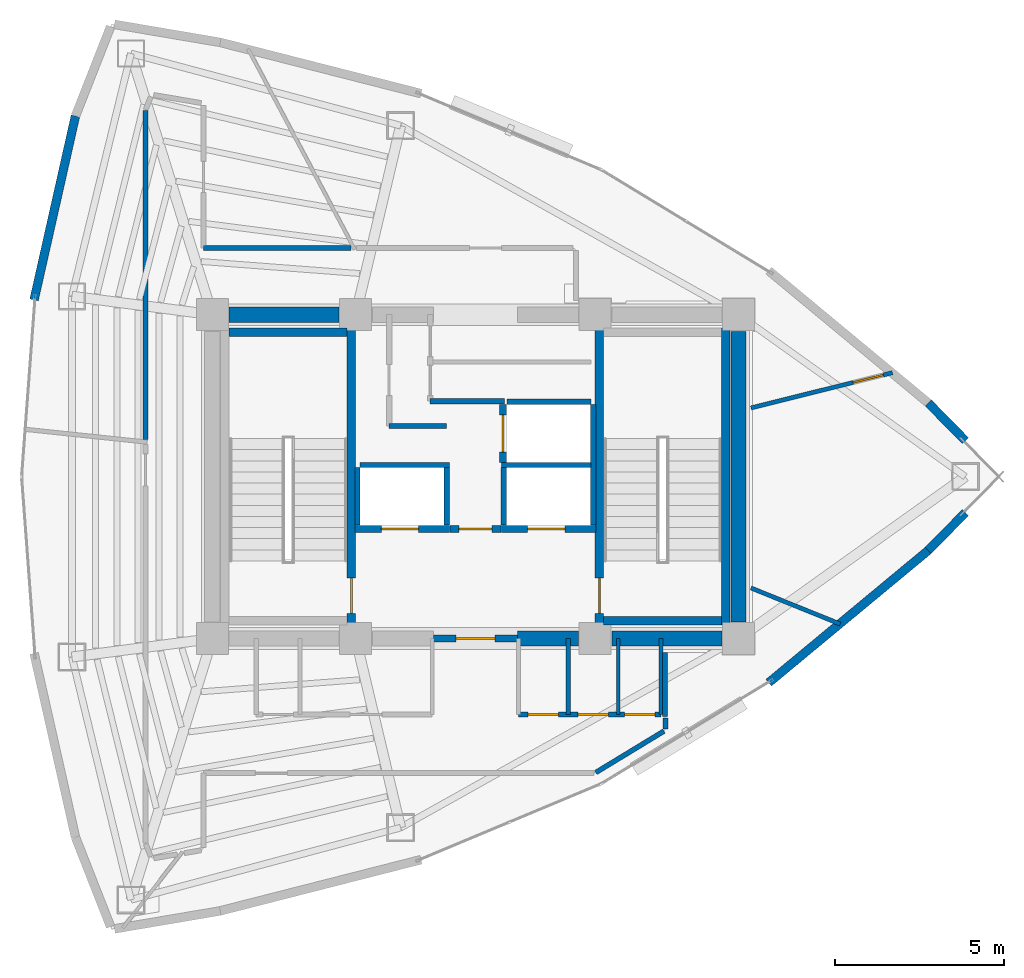
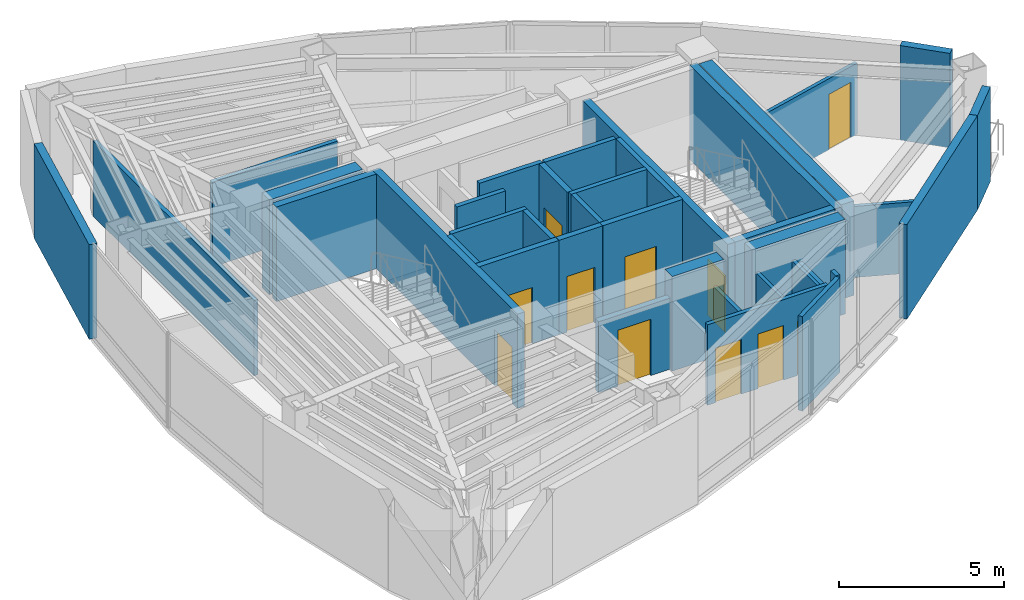
# One storey, part 12 of 15: 38 walls, 11 doors, 11 openings.
"""IFC4 building model written with IfcOpenShell, lengths in metres."""

import ifcopenshell
import ifcopenshell.guid

model = None  # the IFC model being written
_history = None  # IfcOwnerHistory: only IFC2X3 demands one
_inside = {}  # id of a spatial element -> (the spatial element, [elements in it])
_under = {}  # id of a project, library or spatial element -> (it, [spatial elements below it])
_declared = {}  # id of a project -> (the project, [libraries it declares])
_typed = {}  # id of a type object -> (the type object, [elements of that type])
_made_of = {}  # id of a material, layer set ... -> (it, [elements and type objects made of it])


def new_model(schema):
    """Start an empty IFC model of exactly this schema.

    Asked for "IFC4X3", IfcOpenShell would pick the latest addendum, in which some entities
    have other attributes; the version numbers below select the first issue.
    IFC2X3 requires an IfcOwnerHistory on every rooted entity: one is made here for all.
    """
    global model, _history
    if schema == "IFC4X3":
        model = ifcopenshell.file(schema_version=(4, 3, 0, 0))
    else:
        model = ifcopenshell.file(schema=schema)
    _inside.clear()
    _under.clear()
    _declared.clear()
    _typed.clear()
    _made_of.clear()
    _history = None
    if model.schema == "IFC2X3":
        org = make("IfcOrganization", Name="unknown")
        user = make(
            "IfcPersonAndOrganization",
            ThePerson=make("IfcPerson", FamilyName="unknown"),
            TheOrganization=org,
        )
        app = make(
            "IfcApplication",
            ApplicationDeveloper=org,
            Version="unknown",
            ApplicationFullName="unknown",
            ApplicationIdentifier="unknown",
        )
        _history = make(
            "IfcOwnerHistory",
            OwningUser=user,
            OwningApplication=app,
            ChangeAction="ADDED",
            CreationDate=0,
        )
    return model


def make(cls, **values):
    """One entity of the class cls with the attributes given. An attribute that is None is left unset."""
    return model.create_entity(
        cls, **{name: value for name, value in values.items() if value is not None}
    )


def rooted(cls, **values):
    """An entity with a GlobalId (a new one), such as an element, a storey or a relation."""
    return make(cls, GlobalId=ifcopenshell.guid.new(), OwnerHistory=_history, **values)


def si_unit(unit_type, name, prefix=None):
    """IfcSIUnit, for example si_unit("LENGTHUNIT", "METRE", prefix="MILLI")."""
    return make("IfcSIUnit", UnitType=unit_type, Prefix=prefix, Name=name)


def assignment(units):
    """IfcUnitAssignment: the units of a project."""
    return None if units is None else make("IfcUnitAssignment", Units=units)


def point(xyz):
    """IfcCartesianPoint."""
    return None if xyz is None else make("IfcCartesianPoint", Coordinates=xyz)


def direction(xyz):
    """IfcDirection."""
    return None if xyz is None else make("IfcDirection", DirectionRatios=xyz)


def frame(location, z_axis=None, x_axis=None):
    """IfcAxis2Placement3D, a coordinate frame: its origin and axes. An axis left out is left unset."""
    return make(
        "IfcAxis2Placement3D",
        Location=point(location),
        Axis=direction(z_axis),
        RefDirection=direction(x_axis),
    )


def frame_2d(location, x_axis=None):
    """IfcAxis2Placement2D, a coordinate frame in the plane: its origin and x axis."""
    return make(
        "IfcAxis2Placement2D", Location=point(location), RefDirection=direction(x_axis)
    )


def origin():
    """The frame at (0, 0, 0) with its axes left unset."""
    return frame((0.0, 0.0, 0.0))


def place(relative_to, where):
    """IfcLocalPlacement: puts the frame where relative to a parent placement (None: the world)."""
    return make(
        "IfcLocalPlacement", PlacementRelTo=relative_to, RelativePlacement=where
    )


def context(
    kind, dimensions, precision=None, world=None, true_north=None, identifier=None
):
    """IfcGeometricRepresentationContext, for example the 3D "Model" context."""
    return make(
        "IfcGeometricRepresentationContext",
        ContextIdentifier=identifier,
        ContextType=kind,
        CoordinateSpaceDimension=dimensions,
        Precision=precision,
        WorldCoordinateSystem=world,
        TrueNorth=true_north,
    )


def subcontext(parent, identifier, kind, view, scale=None):
    """IfcGeometricRepresentationSubContext, for example "Body" below "Model"."""
    return make(
        "IfcGeometricRepresentationSubContext",
        ContextIdentifier=identifier,
        ContextType=kind,
        ParentContext=parent,
        TargetScale=scale,
        TargetView=view,
    )


def project(units=None, contexts=None):
    """IfcProject with its units and contexts."""
    return rooted(
        "IfcProject",
        Name="project",
        RepresentationContexts=contexts,
        UnitsInContext=assignment(units),
    )


def spatial(cls, under=None, at=None, **own):
    """A site, building, storey or space (cls), placed at a placement, below another one or the project."""
    s = rooted(cls, ObjectPlacement=at, **own)
    if under is not None:
        _under.setdefault(under.id(), (under, []))[1].append(s)
    return s


def profile(cls, at=None, kind="AREA", **sizes):
    """A parametric profile (cls). Its sizes go by their IFC names, for example OverallWidth=200.0."""
    return make(cls, ProfileType=kind, Position=at, **sizes)


def rectangle(**sizes):
    """IfcRectangleProfileDef."""
    return profile("IfcRectangleProfileDef", **sizes)


def extrude(swept, where, along, depth):
    """IfcExtrudedAreaSolid: the profile swept, set in the frame where, extruded along a direction by depth."""
    return make(
        "IfcExtrudedAreaSolid",
        SweptArea=swept,
        Position=where,
        ExtrudedDirection=direction(along),
        Depth=depth,
    )


def shape(context_of_items, identifier, shape_type, items):
    """IfcShapeRepresentation: the items that make up one representation, for example the "Body"."""
    return make(
        "IfcShapeRepresentation",
        ContextOfItems=context_of_items,
        RepresentationIdentifier=identifier,
        RepresentationType=shape_type,
        Items=items,
    )


def material(Name=None, Category=None):
    """IfcMaterial."""
    return make("IfcMaterial", Name=Name, Category=Category)


def layer(
    of_material, thickness, ventilated=None, Name=None, Category=None, Priority=None
):
    """IfcMaterialLayer: one layer of a wall or slab, of a material (None: an air gap)."""
    return make(
        "IfcMaterialLayer",
        Material=of_material,
        LayerThickness=thickness,
        IsVentilated=ventilated,
        Name=Name,
        Category=Category,
        Priority=Priority,
    )


def layer_set(layers, Name=None):
    """IfcMaterialLayerSet."""
    return make("IfcMaterialLayerSet", MaterialLayers=layers, LayerSetName=Name)


def made_of(thing, what):
    """Note that an element or type object is made of a material, layer set ...; save() writes the relation."""
    if what is not None:
        _made_of.setdefault(what.id(), (what, []))[1].append(thing)
    return thing


def type_object(cls, material=None, **own):
    """A type object (cls), such as IfcWallType, which elements share."""
    return made_of(rooted(cls, **own), material)


def element(
    cls,
    number,
    at=None,
    inside=None,
    cuts=None,
    type_object=None,
    material=None,
    context=None,
    identifier="Body",
    shape_type=None,
    held_by="IfcProductDefinitionShape",
    body=None,
    shapes=None,
    **own,
):
    """One element of the class cls, such as IfcWall. Its Tag is "e" and its number.

    at: its placement. inside: the storey or other place that contains it. cuts: it is an
    opening in that element (IfcRelVoidsElement). A single representation is given by context,
    identifier, shape_type and body (its items); several are given by shapes. held_by: the class
    of the entity that holds the representations. save() writes the other relations.
    """
    e = rooted(cls, Tag="e%d" % number, ObjectPlacement=at, **own)
    if body is not None:
        shapes = [shape(context, identifier, shape_type, body)]
    if shapes is not None:
        e.Representation = make(held_by, Representations=shapes)
    if inside is not None:
        _inside.setdefault(inside.id(), (inside, []))[1].append(e)
    if cuts is not None:
        rooted(
            "IfcRelVoidsElement", RelatingBuildingElement=cuts, RelatedOpeningElement=e
        )
    if type_object is not None:
        _typed.setdefault(type_object.id(), (type_object, []))[1].append(e)
    return made_of(e, material)


def fill(opening, filler):
    """IfcRelFillsElement: the door or window that sits in an opening."""
    return rooted(
        "IfcRelFillsElement",
        RelatingOpeningElement=opening,
        RelatedBuildingElement=filler,
    )


def aggregate(whole, parts):
    """IfcRelAggregates: a whole, such as a stair, and the parts it consists of."""
    return rooted("IfcRelAggregates", RelatingObject=whole, RelatedObjects=parts)


def save(model, path):
    """Write the relations noted so far, then the file.

    IfcRelAggregates (storeys below a building ...), IfcRelContainedInSpatialStructure (elements
    in a storey), IfcRelDefinesByType, IfcRelAssociatesMaterial and IfcRelDeclares: one each for
    every whole, place, type object, material and project.
    """
    for whole, parts in _under.values():
        aggregate(whole, parts)
    for where, things in _inside.values():
        rooted(
            "IfcRelContainedInSpatialStructure",
            RelatedElements=things,
            RelatingStructure=where,
        )
    for kind, things in _typed.values():
        rooted("IfcRelDefinesByType", RelatedObjects=things, RelatingType=kind)
    for what, things in _made_of.values():
        rooted("IfcRelAssociatesMaterial", RelatedObjects=things, RelatingMaterial=what)
    for by, libraries in _declared.values():
        rooted("IfcRelDeclares", RelatingContext=by, RelatedDefinitions=libraries)
    model.write(path)


model = new_model("IFC4")

# Units and contexts
model_context = context("Model", 3, precision=1e-05, world=origin(), true_north=direction((0.0, 1.0)))
body_context = subcontext(model_context, "Body", "Model", "MODEL_VIEW")
ifc_project = project(units=[si_unit("LENGTHUNIT", "METRE"), si_unit("AREAUNIT", "SQUARE_METRE"), si_unit("VOLUMEUNIT", "CUBIC_METRE"), si_unit("PLANEANGLEUNIT", "RADIAN"), si_unit("MASSUNIT", "GRAM", prefix="KILO")], contexts=[model_context])

# Site, building, storey
site_placement = place(None, origin())
site = spatial("IfcSite", under=ifc_project, at=site_placement, CompositionType="ELEMENT")
building_placement = place(site_placement, origin())
building = spatial("IfcBuilding", under=site, at=building_placement, Name="Menara Vayukalpa", CompositionType="ELEMENT")
storey_placement = place(building_placement, frame((0.0, 0.0, 250.860107421875)))
storey = spatial("IfcBuildingStorey", under=building, at=storey_placement, Name="L63", CompositionType="ELEMENT", Elevation=250.860107421875)

# Walls
ifc_material_1 = material(Name="Concrete C50/60", Category="concrete")
ifc_layer_1 = layer(ifc_material_1, 0.449951171875)
ifc_layer_set_1 = layer_set([ifc_layer_1], Name="Concrete C50/60")
wall_type_1 = type_object("IfcWallType", Name="WAL-CW450", PredefinedType="SHEAR", material=ifc_layer_set_1)
wall_1_placement = place(storey_placement, frame((26.85009765625, 17.199951171875, 0.0), z_axis=(0.0, 0.0, 1.0), x_axis=(1.0, 0.0, 0.0)))
element("IfcWall", 1, at=wall_1_placement, inside=storey, type_object=wall_type_1, Name="L63 Buttressed Core Shear Wall CWS3", PredefinedType="SHEAR", context=body_context, shape_type="SweptSolid", body=[
    extrude(rectangle(XDim=1.804931640625, YDim=0.449951171875, at=frame_2d((0.90234375, 0.0))), origin(), (0.0, 0.0, 1.0), 3.5),
])
for number, where, z_axis, x_axis, name in (
    (2, (29.64501953125, 17.199951171875, 0.0), (0.0, 0.0, 1.0), (1.0, 0.0, 0.0), "L63 Buttressed Core Shear Wall CWS4"),
    (3, (18.294921875, 26.800048828125, 0.0), (0.0, 0.0, 1.0), (1.0, 0.0, 0.0), "L63 Buttressed Core Shear Wall CWN1"),
):
    element("IfcWall", number, at=place(storey_placement, frame(where, z_axis=z_axis, x_axis=x_axis)), inside=storey, type_object=wall_type_1, Name=name, PredefinedType="SHEAR", context=body_context, shape_type="SweptSolid", body=[
        extrude(rectangle(XDim=3.260009765625, YDim=0.449951171875, at=frame_2d((1.6298828125, 0.0))), origin(), (0.0, 0.0, 1.0), 3.5),
    ])
wall_2_placement = place(storey_placement, frame((33.39990234375, 17.695068359375, 0.0), z_axis=(0.0, 0.0, 1.0), x_axis=(0.0, 1.0, 0.0)))
element("IfcWall", 4, at=wall_2_placement, inside=storey, type_object=wall_type_1, Name="L63 Buttressed Core Shear Wall CWE1", PredefinedType="SHEAR", context=body_context, shape_type="SweptSolid", body=[
    extrude(rectangle(XDim=8.60986328125, YDim=0.449951171875, at=frame_2d((4.304931640625, 0.0))), origin(), (0.0, 0.0, 1.0), 3.5),
])
ifc_material_2 = material(Name="Insulated Precast Concrete C40/50", Category="concrete")
ifc_layer_2 = layer(ifc_material_2, 0.260009765625)
ifc_layer_set_2 = layer_set([ifc_layer_2], Name="Insulated Precast Concrete C40/50")
wall_type_2 = type_object("IfcWallType", Name="WAL-EXT260", PredefinedType="PARTITIONING", material=ifc_layer_set_2)
for number, where, z_axis, x_axis, name in (
    (5, (40.1240234375, 20.932861328125, 0.0), (0.0, 0.0, 1.0), (-0.700470648387, -0.71368121087, 0.0), "L63 Perimeter Terracotta Pier Wall 01"),
    (6, (39.023681640625, 24.188232421875, 0.0), (0.0, 0.0, 1.0), (0.700470648387, -0.71368121087, 0.0), "L63 Perimeter Terracotta Pier Wall 02"),
):
    element("IfcWall", number, at=place(storey_placement, frame(where, z_axis=z_axis, x_axis=x_axis)), inside=storey, type_object=wall_type_2, Name=name, PredefinedType="PARTITIONING", context=body_context, shape_type="SweptSolid", body=[
        extrude(rectangle(XDim=1.57080078125, YDim=0.260009765625, at=frame_2d((0.785400390625, 0.0))), origin(), (0.0, 0.0, 1.0), 3.5),
    ])
wall_3_placement = place(storey_placement, frame((12.514892578125, 27.239501953125, 0.0), z_axis=(0.0, 0.0, 1.0), x_axis=(0.219500763731, 0.97561232809, 0.0)))
element("IfcWall", 7, at=wall_3_placement, inside=storey, type_object=wall_type_2, Name="L63 Perimeter Terracotta Pier Wall 09", PredefinedType="PARTITIONING", context=body_context, shape_type="SweptSolid", body=[
    extrude(rectangle(XDim=5.590087890625, YDim=0.260009765625, at=frame_2d((2.794921875, 0.0))), origin(), (0.0, 0.0, 1.0), 3.5),
])
wall_4_placement = place(storey_placement, frame((39.032470703125, 19.81982421875, 0.0), z_axis=(0.0, 0.0, 1.0), x_axis=(-0.769779830138, -0.638309496337, 0.0)))
element("IfcWall", 8, at=wall_4_placement, inside=storey, type_object=wall_type_2, Name="L63 Perimeter Terracotta Pier Wall 18", PredefinedType="PARTITIONING", context=body_context, shape_type="SweptSolid", body=[
    extrude(rectangle(XDim=6.154052734375, YDim=0.260009765625, at=frame_2d((3.0771484375, 0.0))), origin(), (0.0, 0.0, 1.0), 3.5),
])
ifc_material_3 = material(Name="Lightweight Concrete Blockwork C16/20", Category="masonry")
ifc_layer_3 = layer(ifc_material_3, 0.159912109375)
ifc_layer_set_3 = layer_set([ifc_layer_3], Name="Lightweight Concrete Blockwork C16/20")
wall_type_3 = type_object("IfcWallType", Name="WAL-FR150", PredefinedType="PARTITIONING", material=ifc_layer_set_3)
for number, where, z_axis, x_axis, name in (
    (9, (22.10498046875, 20.56005859375, 0.0), (0.0, 0.0, 1.0), (0.0, 1.0, 0.0), "L63 Interior Partition IW-L63-SHW-WW"),
    (10, (24.7548828125, 20.56005859375, 0.0), (0.0, 0.0, 1.0), (0.0, 1.0, 0.0), "L63 Interior Partition IW-L63-SHW-W1E"),
):
    element("IfcWall", number, at=place(storey_placement, frame(where, z_axis=z_axis, x_axis=x_axis)), inside=storey, type_object=wall_type_3, Name=name, PredefinedType="PARTITIONING", context=body_context, shape_type="SweptSolid", body=[
        extrude(rectangle(XDim=1.7099609375, YDim=0.159912109375, at=frame_2d((0.85498046875, 0.0))), origin(), (0.0, 0.0, 1.0), 3.5),
    ])
wall_5_placement = place(storey_placement, frame((22.179931640625, 22.344970703125, 0.0), z_axis=(0.0, 0.0, 1.0), x_axis=(1.0, 0.0, 0.0)))
element("IfcWall", 11, at=wall_5_placement, inside=storey, type_object=wall_type_3, Name="L63 Interior Partition IW-L63-SHM-W12", PredefinedType="PARTITIONING", context=body_context, shape_type="SweptSolid", body=[
    extrude(rectangle(XDim=2.650146484375, YDim=0.159912109375, at=frame_2d((1.3251953125, 0.0))), origin(), (0.0, 0.0, 1.0), 3.5),
])
wall_6_placement = place(storey_placement, frame((29.094970703125, 20.56005859375, 0.0), z_axis=(0.0, 0.0, 1.0), x_axis=(0.0, 1.0, 0.0)))
element("IfcWall", 12, at=wall_6_placement, inside=storey, type_object=wall_type_3, Name="L63 Interior Partition IW-L63-SHW-EE", PredefinedType="PARTITIONING", context=body_context, shape_type="SweptSolid", body=[
    extrude(rectangle(XDim=3.579833984375, YDim=0.159912109375, at=frame_2d((1.7900390625, 0.0))), origin(), (0.0, 0.0, 1.0), 3.5),
])
wall_7_placement = place(storey_placement, frame((26.445068359375, 20.56005859375, 0.0), z_axis=(0.0, 0.0, 1.0), x_axis=(0.0, 1.0, 0.0)))
element("IfcWall", 13, at=wall_7_placement, inside=storey, type_object=wall_type_3, Name="L63 Interior Partition IW-L63-SHW-E1W", PredefinedType="PARTITIONING", context=body_context, shape_type="SweptSolid", body=[
    extrude(rectangle(XDim=1.7099609375, YDim=0.159912109375, at=frame_2d((0.85498046875, 0.0))), origin(), (0.0, 0.0, 1.0), 3.5),
])
wall_8_placement = place(storey_placement, frame((26.3701171875, 22.344970703125, 0.0), z_axis=(0.0, 0.0, 1.0), x_axis=(1.0, 0.0, 0.0)))
element("IfcWall", 14, at=wall_8_placement, inside=storey, type_object=wall_type_3, Name="L63 Interior Partition IW-L63-SHM-E13", PredefinedType="PARTITIONING", context=body_context, shape_type="SweptSolid", body=[
    extrude(rectangle(XDim=2.64990234375, YDim=0.159912109375, at=frame_2d((1.324951171875, 0.0))), origin(), (0.0, 0.0, 1.0), 3.5),
])
wall_9_placement = place(storey_placement, frame((26.530029296875, 24.215087890625, 0.0), z_axis=(0.0, 0.0, 1.0), x_axis=(1.0, 0.0, 0.0)))
element("IfcWall", 15, at=wall_9_placement, inside=storey, type_object=wall_type_3, Name="L63 Interior Partition IW-L63-SHM-E32", PredefinedType="PARTITIONING", context=body_context, shape_type="SweptSolid", body=[
    extrude(rectangle(XDim=2.489990234375, YDim=0.159912109375, at=frame_2d((1.2451171875, 0.0))), origin(), (0.0, 0.0, 1.0), 3.5),
])
wall_10_placement = place(storey_placement, frame((23.0400390625, 23.5, 0.0), z_axis=(0.0, 0.0, 1.0), x_axis=(1.0, 0.0, 0.0)))
element("IfcWall", 16, at=wall_10_placement, inside=storey, type_object=wall_type_3, Name="L63 Interior Partition IW-L63-LV7WA", PredefinedType="PARTITIONING", context=body_context, shape_type="SweptSolid", body=[
    extrude(rectangle(XDim=1.699951171875, YDim=0.159912109375, at=frame_2d((0.85009765625, 0.0))), origin(), (0.0, 0.0, 1.0), 3.5),
])
wall_11_placement = place(storey_placement, frame((24.260009765625, 24.239990234375, 0.0), z_axis=(0.0, 0.0, 1.0), x_axis=(1.0, 0.0, 0.0)))
element("IfcWall", 17, at=wall_11_placement, inside=storey, type_object=wall_type_3, Name="L63 Interior Partition IW-L63-LV7EA", PredefinedType="PARTITIONING", context=body_context, shape_type="SweptSolid", body=[
    extrude(rectangle(XDim=2.199951171875, YDim=0.159912109375, at=frame_2d((1.10009765625, 0.0))), origin(), (0.0, 0.0, 1.0), 3.5),
])

# Wall, opening, door
ifc_material_4 = material(Name="Lightweight Concrete Blockwork C16/20", Category="masonry")
ifc_layer_4 = layer(ifc_material_4, 0.199951171875)
ifc_layer_set_4 = layer_set([ifc_layer_4], Name="Lightweight Concrete Blockwork C16/20")
wall_type_4 = type_object("IfcWallType", Name="WAL-FR200", PredefinedType="PARTITIONING", material=ifc_layer_set_4)
wall_12_placement = place(storey_placement, frame((24.35009765625, 17.199951171875, 0.0), z_axis=(0.0, 0.0, 1.0), x_axis=(1.0, 0.0, 0.0)))
wall_12 = element("IfcWall", 18, at=wall_12_placement, inside=storey, type_object=wall_type_4, Name="L63 Interior Partition IW-L63-FFLS", PredefinedType="PARTITIONING", context=body_context, shape_type="SweptSolid", body=[
    extrude(rectangle(XDim=2.5, YDim=0.199951171875, at=frame_2d((1.25, 0.0))), origin(), (0.0, 0.0, 1.0), 2.6298828125),
])
opening_1_placement = place(wall_12_placement, frame((0.679931640625, 0.0, 0.0)))
opening_1 = element("IfcOpeningElement", 19, at=opening_1_placement, cuts=wall_12, Name="Opening ID2", PredefinedType="OPENING", context=body_context, shape_type="SweptSolid", body=[
    extrude(rectangle(XDim=1.14990234375, YDim=2.080078125, at=frame_2d((0.574951171875, 1.0400390625))), frame((0.0, 0.10986328125, 0.0), z_axis=(0.0, -1.0, 0.0), x_axis=(1.0, 0.0, 0.0)), (0.0, 0.0, 1.0), 0.219970703125),
])
ifc_material_5 = material(Name="Fire-Rated Powder-Coated Steel Door", Category="steel")
door_type_1 = type_object("IfcDoorType", Name="DR-FD60W", OperationType="NOTDEFINED", PredefinedType="DOOR", material=ifc_material_5)
door_1_placement = place(opening_1_placement, origin())
door_1 = element("IfcDoor", 20, at=door_1_placement, inside=storey, type_object=door_type_1, Name="L63 Interior Door DR-L63-FFLS", OperationType="SINGLE_SWING_RIGHT", OverallHeight=2.080078125, OverallWidth=1.14990234375, PredefinedType="DOOR", context=body_context, shape_type="SweptSolid", body=[
    extrude(rectangle(XDim=1.14990234375, YDim=2.080078125, at=frame_2d((0.574951171875, 1.0400390625))), frame((0.0, 0.02490234375, 0.0), z_axis=(0.0, -1.0, 0.0), x_axis=(1.0, 0.0, 0.0)), (0.0, 0.0, 1.0), 0.050048828125),
])
fill(opening_1, door_1)

wall_13_placement = place(storey_placement, frame((24.840087890625, 20.449951171875, 0.0), z_axis=(0.0, 0.0, 1.0), x_axis=(1.0, 0.0, 0.0)))
wall_13 = element("IfcWall", 21, at=wall_13_placement, inside=storey, type_object=wall_type_4, Name="L63 Interior Partition IW-L63-FFLN", PredefinedType="PARTITIONING", context=body_context, shape_type="SweptSolid", body=[
    extrude(rectangle(XDim=1.52001953125, YDim=0.199951171875, at=frame_2d((0.760009765625, 0.0))), origin(), (0.0, 0.0, 1.0), 3.5),
])
opening_2_placement = place(wall_13_placement, frame((0.27001953125, 0.0, 0.0)))
opening_2 = element("IfcOpeningElement", 22, at=opening_2_placement, cuts=wall_13, Name="Opening ID3", PredefinedType="OPENING", context=body_context, shape_type="SweptSolid", body=[
    extrude(rectangle(XDim=0.97998046875, YDim=2.06005859375, at=frame_2d((0.489990234375, 1.030029296875))), frame((0.0, 0.10986328125, 0.0), z_axis=(0.0, -1.0, 0.0), x_axis=(1.0, 0.0, 0.0)), (0.0, 0.0, 1.0), 0.219970703125),
])
ifc_material_6 = material(Name="Fire-Rated Powder-Coated Steel Door", Category="steel")
door_type_2 = type_object("IfcDoorType", Name="DR-FD60", OperationType="NOTDEFINED", PredefinedType="DOOR", material=ifc_material_6)
door_2_placement = place(opening_2_placement, origin())
door_2 = element("IfcDoor", 23, at=door_2_placement, inside=storey, type_object=door_type_2, Name="L63 Interior Door DR-L63-FFLN", OperationType="SINGLE_SWING_LEFT", OverallHeight=2.06005859375, OverallWidth=0.97998046875, PredefinedType="DOOR", context=body_context, shape_type="SweptSolid", body=[
    extrude(rectangle(XDim=0.97998046875, YDim=2.06005859375, at=frame_2d((0.489990234375, 1.030029296875))), frame((0.0, 0.02490234375, 0.0), z_axis=(0.0, -1.0, 0.0), x_axis=(1.0, 0.0, 0.0)), (0.0, 0.0, 1.0), 0.050048828125),
])
fill(opening_2, door_2)

wall_14_placement = place(storey_placement, frame((22.030029296875, 20.449951171875, 0.0), z_axis=(0.0, 0.0, 1.0), x_axis=(1.0, 0.0, 0.0)))
wall_14 = element("IfcWall", 24, at=wall_14_placement, inside=storey, type_object=wall_type_4, Name="L63 Interior Partition IW-L63-SH-W1", PredefinedType="PARTITIONING", context=body_context, shape_type="SweptSolid", body=[
    extrude(rectangle(XDim=2.800048828125, YDim=0.199951171875, at=frame_2d((1.39990234375, 0.0))), origin(), (0.0, 0.0, 1.0), 3.5),
])
opening_3_placement = place(wall_14_placement, frame((0.780029296875, 0.0, 0.0)))
opening_3 = element("IfcOpeningElement", 25, at=opening_3_placement, cuts=wall_14, Name="Opening LD1", PredefinedType="OPENING", context=body_context, shape_type="SweptSolid", body=[
    extrude(rectangle(XDim=1.10009765625, YDim=2.080078125, at=frame_2d((0.550048828125, 1.0400390625))), frame((0.0, 0.10986328125, 0.0), z_axis=(0.0, -1.0, 0.0), x_axis=(1.0, 0.0, 0.0)), (0.0, 0.0, 1.0), 0.219970703125),
])
ifc_material_7 = material(Name="Brushed Stainless Steel 316 Lift Door", Category="steel")
door_type_3 = type_object("IfcDoorType", Name="DR-LD110", OperationType="NOTDEFINED", PredefinedType="DOOR", material=ifc_material_7)
door_3_placement = place(opening_3_placement, origin())
door_3 = element("IfcDoor", 26, at=door_3_placement, inside=storey, type_object=door_type_3, Name="L63 Interior Door DR-L63-LD-W1", OperationType="DOUBLE_DOOR_SLIDING", OverallHeight=2.080078125, OverallWidth=1.10009765625, PredefinedType="DOOR", context=body_context, shape_type="SweptSolid", body=[
    extrude(rectangle(XDim=1.10009765625, YDim=2.080078125, at=frame_2d((0.550048828125, 1.0400390625))), frame((0.0, 0.02490234375, 0.0), z_axis=(0.0, -1.0, 0.0), x_axis=(1.0, 0.0, 0.0)), (0.0, 0.0, 1.0), 0.050048828125),
])
fill(opening_3, door_3)

wall_15_placement = place(storey_placement, frame((26.3701171875, 20.449951171875, 0.0), z_axis=(0.0, 0.0, 1.0), x_axis=(1.0, 0.0, 0.0)))
wall_15 = element("IfcWall", 27, at=wall_15_placement, inside=storey, type_object=wall_type_4, Name="L63 Interior Partition IW-L63-SH-E1", PredefinedType="PARTITIONING", context=body_context, shape_type="SweptSolid", body=[
    extrude(rectangle(XDim=2.7998046875, YDim=0.199951171875, at=frame_2d((1.39990234375, 0.0))), origin(), (0.0, 0.0, 1.0), 3.5),
])
opening_4_placement = place(wall_15_placement, frame((0.780029296875, 0.0, 0.0)))
opening_4 = element("IfcOpeningElement", 28, at=opening_4_placement, cuts=wall_15, Name="Opening LD1", PredefinedType="OPENING", context=body_context, shape_type="SweptSolid", body=[
    extrude(rectangle(XDim=1.10009765625, YDim=2.080078125, at=frame_2d((0.550048828125, 1.0400390625))), frame((0.0, 0.10986328125, 0.0), z_axis=(0.0, -1.0, 0.0), x_axis=(1.0, 0.0, 0.0)), (0.0, 0.0, 1.0), 0.219970703125),
])
door_4_placement = place(opening_4_placement, origin())
door_4 = element("IfcDoor", 29, at=door_4_placement, inside=storey, type_object=door_type_3, Name="L63 Interior Door DR-L63-LD-E1", OperationType="DOUBLE_DOOR_SLIDING", OverallHeight=2.080078125, OverallWidth=1.10009765625, PredefinedType="DOOR", context=body_context, shape_type="SweptSolid", body=[
    extrude(rectangle(XDim=1.10009765625, YDim=2.080078125, at=frame_2d((0.550048828125, 1.0400390625))), frame((0.0, 0.02490234375, 0.0), z_axis=(0.0, -1.0, 0.0), x_axis=(1.0, 0.0, 0.0)), (0.0, 0.0, 1.0), 0.050048828125),
])
fill(opening_4, door_4)

wall_16_placement = place(storey_placement, frame((26.419921875, 22.419921875, 0.0), z_axis=(0.0, 0.0, 1.0), x_axis=(0.0, 1.0, 0.0)))
wall_16 = element("IfcWall", 30, at=wall_16_placement, inside=storey, type_object=wall_type_4, Name="L63 Interior Partition IW-L63-SH-E3", PredefinedType="PARTITIONING", context=body_context, shape_type="SweptSolid", body=[
    extrude(rectangle(XDim=1.719970703125, YDim=0.199951171875, at=frame_2d((0.85986328125, 0.0))), origin(), (0.0, 0.0, 1.0), 3.5),
])
opening_5_placement = place(wall_16_placement, frame((0.31005859375, 0.0, 0.0)))
opening_5 = element("IfcOpeningElement", 31, at=opening_5_placement, cuts=wall_16, Name="Opening LD1", PredefinedType="OPENING", context=body_context, shape_type="SweptSolid", body=[
    extrude(rectangle(XDim=1.10009765625, YDim=2.080078125, at=frame_2d((0.550048828125, 1.0400390625))), frame((0.0, 0.10986328125, 0.0), z_axis=(0.0, -1.0, 0.0), x_axis=(1.0, 0.0, 0.0)), (0.0, 0.0, 1.0), 0.219970703125),
])
door_5_placement = place(opening_5_placement, origin())
door_5 = element("IfcDoor", 32, at=door_5_placement, inside=storey, type_object=door_type_3, Name="L63 Interior Door DR-L63-LD-E3", OperationType="DOUBLE_DOOR_SLIDING", OverallHeight=2.080078125, OverallWidth=1.10009765625, PredefinedType="DOOR", context=body_context, shape_type="SweptSolid", body=[
    extrude(rectangle(XDim=1.10009765625, YDim=2.080078125, at=frame_2d((0.550048828125, 1.0400390625))), frame((0.0, 0.02490234375, 0.0), z_axis=(0.0, -1.0, 0.0), x_axis=(1.0, 0.0, 0.0)), (0.0, 0.0, 1.0), 0.050048828125),
])
fill(opening_5, door_5)

# Walls
ifc_material_8 = material(Name="Acoustic Mineral Stud Partition", Category="masonry")
ifc_layer_5 = layer(ifc_material_8, 0.110107421875)
ifc_layer_set_5 = layer_set([ifc_layer_5], Name="Acoustic Mineral Stud Partition")
wall_type_5 = type_object("IfcWallType", Name="WAL-PT110", PredefinedType="PARTITIONING", material=ifc_layer_set_5)
wall_17_placement = place(storey_placement, frame((29.830078125, 14.949951171875, 0.0), z_axis=(0.0, 0.0, 1.0), x_axis=(0.0, 1.0, 0.0)))
element("IfcWall", 33, at=wall_17_placement, inside=storey, type_object=wall_type_5, Name="L63 Interior Partition IW-L63-SVCD-06", PredefinedType="PARTITIONING", context=body_context, shape_type="SweptSolid", body=[
    extrude(rectangle(XDim=2.25, YDim=0.110107421875, at=frame_2d((1.125, 0.0))), origin(), (0.0, 0.0, 1.0), 2.6298828125),
])
ifc_material_9 = material(Name="Gypsum Drywall Steel Stud Assembly", Category="steel")
ifc_layer_6 = layer(ifc_material_9, 0.125)
ifc_layer_set_6 = layer_set([ifc_layer_6], Name="Gypsum Drywall Steel Stud Assembly")
wall_type_6 = type_object("IfcWallType", Name="WAL-PT125", PredefinedType="PARTITIONING", material=ifc_layer_set_6)
for number, where, z_axis, x_axis, name in (
    (34, (28.35009765625, 14.949951171875, 0.0), (0.0, 0.0, 1.0), (0.0, 1.0, 0.0), "L63 Interior Partition IW-L63-SVCD-05"),
    (35, (31.10009765625, 14.949951171875, 0.0), (0.0, 0.0, 1.0), (0.0, 1.0, 0.0), "L63 Interior Partition IW-L63-SVCD-07"),
):
    element("IfcWall", number, at=place(storey_placement, frame(where, z_axis=z_axis, x_axis=x_axis)), inside=storey, type_object=wall_type_6, Name=name, PredefinedType="PARTITIONING", context=body_context, shape_type="SweptSolid", body=[
        extrude(rectangle(XDim=2.25, YDim=0.125, at=frame_2d((1.125, 0.0))), origin(), (0.0, 0.0, 1.0), 2.6298828125),
    ])

# Wall, opening, door
wall_18_placement = place(storey_placement, frame((33.77001953125, 24.037109375, 0.0), z_axis=(0.0, 0.0, 1.0), x_axis=(0.970305215228, 0.241883834312, 0.0)))
wall_18 = element("IfcWall", 36, at=wall_18_placement, inside=storey, type_object=wall_type_6, Name="L63 Interior Partition IW-L63-RDIV01", PredefinedType="PARTITIONING", context=body_context, shape_type="SweptSolid", body=[
    extrude(rectangle(XDim=4.31884765625, YDim=0.125, at=frame_2d((2.159423828125, 0.0))), origin(), (0.0, 0.0, 1.0), 2.6298828125),
])
opening_6_placement = place(wall_18_placement, frame((3.118896484375, 0.0, 0.0)))
opening_6 = element("IfcOpeningElement", 37, at=opening_6_placement, cuts=wall_18, Name="Opening ID6", PredefinedType="OPENING", context=body_context, shape_type="SweptSolid", body=[
    extrude(rectangle(XDim=0.919921875, YDim=2.050048828125, at=frame_2d((0.4599609375, 1.02490234375))), frame((0.0, 0.072509765625, 0.0), z_axis=(0.0, -1.0, 0.0), x_axis=(1.0, 0.0, 0.0)), (0.0, 0.0, 1.0), 0.14501953125),
])
ifc_material_10 = material(Name="Acoustic Hardwood Veneer Timber Door", Category="wood")
door_type_4 = type_object("IfcDoorType", Name="DR-INT92", OperationType="NOTDEFINED", PredefinedType="DOOR", material=ifc_material_10)
door_6_placement = place(opening_6_placement, origin())
door_6 = element("IfcDoor", 38, at=door_6_placement, inside=storey, type_object=door_type_4, Name="L63 Interior Door DR-L63-STE04", OperationType="SINGLE_SWING_RIGHT", OverallHeight=2.050048828125, OverallWidth=0.919921875, PredefinedType="DOOR", context=body_context, shape_type="SweptSolid", body=[
    extrude(rectangle(XDim=0.919921875, YDim=2.050048828125, at=frame_2d((0.4599609375, 1.02490234375))), frame((0.0, 0.02490234375, 0.0), z_axis=(0.0, -1.0, 0.0), x_axis=(1.0, 0.0, 0.0)), (0.0, 0.0, 1.0), 0.050048828125),
])
fill(opening_6, door_6)

# Wall
wall_19_placement = place(storey_placement, frame((33.77001953125, 18.69921875, 0.0), z_axis=(0.0, 0.0, 1.0), x_axis=(0.92715823081, -0.374670008197, 0.0)))
element("IfcWall", 39, at=wall_19_placement, inside=storey, type_object=wall_type_6, Name="L63 Interior Partition IW-L63-RDIV05", PredefinedType="PARTITIONING", context=body_context, shape_type="SweptSolid", body=[
    extrude(rectangle(XDim=2.84765625, YDim=0.125, at=frame_2d((1.423828125, 0.0))), origin(), (0.0, 0.0, 1.0), 2.6298828125),
])

# Wall, openings, doors
ifc_material_11 = material(Name="Gypsum Drywall Acoustic Stud Assembly", Category="masonry")
ifc_layer_7 = layer(ifc_material_11, 0.14501953125)
ifc_layer_set_7 = layer_set([ifc_layer_7], Name="Gypsum Drywall Acoustic Stud Assembly")
wall_type_7 = type_object("IfcWallType", Name="WAL-PT150", PredefinedType="PARTITIONING", material=ifc_layer_set_7)
wall_20_placement = place(storey_placement, frame((26.8798828125, 14.949951171875, 0.0), z_axis=(0.0, 0.0, 1.0), x_axis=(1.0, 0.0, 0.0)))
wall_20 = element("IfcWall", 40, at=wall_20_placement, inside=storey, type_object=wall_type_7, Name="L63 Interior Partition IW-L63-SVCS-E", PredefinedType="PARTITIONING", context=body_context, shape_type="SweptSolid", body=[
    extrude(rectangle(XDim=4.22021484375, YDim=0.14501953125, at=frame_2d((2.110107421875, 0.0))), origin(), (0.0, 0.0, 1.0), 2.97998046875),
])
opening_7_placement = place(wall_20_placement, frame((0.280029296875, 0.0, 0.0)))
opening_7 = element("IfcOpeningElement", 41, at=opening_7_placement, cuts=wall_20, Name="Opening ID7", PredefinedType="OPENING", context=body_context, shape_type="SweptSolid", body=[
    extrude(rectangle(XDim=0.89990234375, YDim=2.02001953125, at=frame_2d((0.449951171875, 1.010009765625))), frame((0.0, 0.08251953125, 0.0), z_axis=(0.0, -1.0, 0.0), x_axis=(1.0, 0.0, 0.0)), (0.0, 0.0, 1.0), 0.1650390625),
])
opening_8_placement = place(wall_20_placement, frame((1.760009765625, 0.0, 0.0)))
opening_8 = element("IfcOpeningElement", 42, at=opening_8_placement, cuts=wall_20, Name="Opening ID7", PredefinedType="OPENING", context=body_context, shape_type="SweptSolid", body=[
    extrude(rectangle(XDim=0.89990234375, YDim=2.02001953125, at=frame_2d((0.449951171875, 1.010009765625))), frame((0.0, 0.08251953125, 0.0), z_axis=(0.0, -1.0, 0.0), x_axis=(1.0, 0.0, 0.0)), (0.0, 0.0, 1.0), 0.1650390625),
])
opening_9_placement = place(wall_20_placement, frame((3.139892578125, 0.0, 0.0)))
opening_9 = element("IfcOpeningElement", 43, at=opening_9_placement, cuts=wall_20, Name="Opening ID7", PredefinedType="OPENING", context=body_context, shape_type="SweptSolid", body=[
    extrude(rectangle(XDim=0.89990234375, YDim=2.02001953125, at=frame_2d((0.449951171875, 1.010009765625))), frame((0.0, 0.08251953125, 0.0), z_axis=(0.0, -1.0, 0.0), x_axis=(1.0, 0.0, 0.0)), (0.0, 0.0, 1.0), 0.1650390625),
])
ifc_material_12 = material(Name="Powder-Coated Steel Riser Access Door", Category="steel")
door_type_5 = type_object("IfcDoorType", Name="DR-RISER", OperationType="NOTDEFINED", PredefinedType="DOOR", material=ifc_material_12)
door_7_placement = place(opening_7_placement, origin())
door_7 = element("IfcDoor", 44, at=door_7_placement, inside=storey, type_object=door_type_5, Name="L63 Interior Door DR-L63-KSV1", OperationType="SINGLE_SWING_LEFT", OverallHeight=2.02001953125, OverallWidth=0.89990234375, PredefinedType="DOOR", context=body_context, shape_type="SweptSolid", body=[
    extrude(rectangle(XDim=0.89990234375, YDim=2.02001953125, at=frame_2d((0.449951171875, 1.010009765625))), frame((0.0, 0.02490234375, 0.0), z_axis=(0.0, -1.0, 0.0), x_axis=(1.0, 0.0, 0.0)), (0.0, 0.0, 1.0), 0.050048828125),
])
fill(opening_7, door_7)
door_8_placement = place(opening_8_placement, origin())
door_8 = element("IfcDoor", 45, at=door_8_placement, inside=storey, type_object=door_type_5, Name="L63 Interior Door DR-L63-KSV2", OperationType="SINGLE_SWING_RIGHT", OverallHeight=2.02001953125, OverallWidth=0.89990234375, PredefinedType="DOOR", context=body_context, shape_type="SweptSolid", body=[
    extrude(rectangle(XDim=0.89990234375, YDim=2.02001953125, at=frame_2d((0.449951171875, 1.010009765625))), frame((0.0, 0.02490234375, 0.0), z_axis=(0.0, -1.0, 0.0), x_axis=(1.0, 0.0, 0.0)), (0.0, 0.0, 1.0), 0.050048828125),
])
fill(opening_8, door_8)
door_9_placement = place(opening_9_placement, origin())
door_9 = element("IfcDoor", 46, at=door_9_placement, inside=storey, type_object=door_type_5, Name="L63 Interior Door DR-L63-SMD", OperationType="SINGLE_SWING_LEFT", OverallHeight=2.02001953125, OverallWidth=0.89990234375, PredefinedType="DOOR", context=body_context, shape_type="SweptSolid", body=[
    extrude(rectangle(XDim=0.89990234375, YDim=2.02001953125, at=frame_2d((0.449951171875, 1.010009765625))), frame((0.0, 0.02490234375, 0.0), z_axis=(0.0, -1.0, 0.0), x_axis=(1.0, 0.0, 0.0)), (0.0, 0.0, 1.0), 0.050048828125),
])
fill(opening_9, door_9)

# Walls
wall_21_placement = place(storey_placement, frame((29.167724609375, 13.228515625, 0.0), z_axis=(0.0, 0.0, 1.0), x_axis=(0.854678044033, 0.519158396876, 0.0)))
element("IfcWall", 47, at=wall_21_placement, inside=storey, type_object=wall_type_7, Name="L63 Interior Partition IW-L63-CRM03-4", PredefinedType="PARTITIONING", context=body_context, shape_type="SweptSolid", body=[
    extrude(rectangle(XDim=2.36767578125, YDim=0.14501953125, at=frame_2d((1.183837890625, 0.0))), origin(), (0.0, 0.0, 1.0), 3.5),
])
wall_22_placement = place(storey_placement, frame((31.22998046875, 14.526123046875, 0.0), z_axis=(0.0, 0.0, 1.0), x_axis=(0.0, 1.0, 0.0)))
element("IfcWall", 48, at=wall_22_placement, inside=storey, type_object=wall_type_7, Name="L63 Interior Partition IW-L63-CRM03-5", PredefinedType="PARTITIONING", context=body_context, shape_type="SweptSolid", body=[
    extrude(rectangle(XDim=0.323974609375, YDim=0.14501953125, at=frame_2d((0.162109375, 0.0))), origin(), (0.0, 0.0, 1.0), 3.5),
])
wall_23_placement = place(storey_placement, frame((31.219970703125, 14.888671875, 0.0), z_axis=(0.0, 0.0, 1.0), x_axis=(0.0, 1.0, 0.0)))
element("IfcWall", 49, at=wall_23_placement, inside=storey, type_object=wall_type_7, Name="L63 Interior Partition IW-L63-CRM03-6", PredefinedType="PARTITIONING", context=body_context, shape_type="SweptSolid", body=[
    extrude(rectangle(XDim=1.891357421875, YDim=0.14501953125, at=frame_2d((0.94580078125, 0.0))), origin(), (0.0, 0.0, 1.0), 2.6298828125),
])
wall_24_placement = place(storey_placement, frame((21.915771484375, 28.780029296875, 0.0), z_axis=(0.0, 0.0, 1.0), x_axis=(-1.0, 0.0, 0.0)))
element("IfcWall", 50, at=wall_24_placement, inside=storey, type_object=wall_type_7, Name="L63 Interior Partition IW-L63-CRM06-1", PredefinedType="PARTITIONING", context=body_context, shape_type="SweptSolid", body=[
    extrude(rectangle(XDim=4.375732421875, YDim=0.14501953125, at=frame_2d((2.18798828125, 0.0))), origin(), (0.0, 0.0, 1.0), 3.1298828125),
])
wall_25_placement = place(storey_placement, frame((15.820068359375, 32.853759765625, 0.0), z_axis=(0.0, 0.0, 1.0), x_axis=(0.0, -1.0, 0.0)))
element("IfcWall", 51, at=wall_25_placement, inside=storey, type_object=wall_type_7, Name="L63 Interior Partition IW-L63-CRM06-5", PredefinedType="PARTITIONING", context=body_context, shape_type="SweptSolid", body=[
    extrude(rectangle(XDim=9.75537109375, YDim=0.14501953125, at=frame_2d((4.877685546875, 0.0))), origin(), (0.0, 0.0, 1.0), 2.77978515625),
])

# Wall, opening, door
ifc_material_13 = material(Name="Concrete C50/60", Category="concrete")
ifc_layer_8 = layer(ifc_material_13, 0.25)
ifc_layer_set_8 = layer_set([ifc_layer_8], Name="Concrete C50/60")
wall_type_8 = type_object("IfcWallType", Name="WAL-SW250", PredefinedType="SHEAR", material=ifc_layer_set_8)
wall_26_placement = place(storey_placement, frame((21.925048828125, 17.60009765625, 0.0), z_axis=(0.0, 0.0, 1.0), x_axis=(0.0, 1.0, 0.0)))
wall_26 = element("IfcWall", 52, at=wall_26_placement, inside=storey, type_object=wall_type_8, Name="L63 ST1 Structural Stair Shaft Wall E", PredefinedType="SHEAR", context=body_context, shape_type="SweptSolid", body=[
    extrude(rectangle(XDim=8.7998046875, YDim=0.25, at=frame_2d((4.39990234375, 0.0))), origin(), (0.0, 0.0, 1.0), 3.5),
])
opening_10_placement = place(wall_26_placement, frame((0.35009765625, 0.0, 0.0)))
opening_10 = element("IfcOpeningElement", 53, at=opening_10_placement, cuts=wall_26, Name="Opening ID1", PredefinedType="OPENING", context=body_context, shape_type="SweptSolid", body=[
    extrude(rectangle(XDim=1.050048828125, YDim=2.080078125, at=frame_2d((0.52490234375, 1.0400390625))), frame((0.0, 0.135009765625, 0.0), z_axis=(0.0, -1.0, 0.0), x_axis=(1.0, 0.0, 0.0)), (0.0, 0.0, 1.0), 0.27001953125),
])
ifc_material_14 = material(Name="Fire-Rated Powder-Coated Steel Door", Category="steel")
door_type_6 = type_object("IfcDoorType", Name="DR-FD120", OperationType="NOTDEFINED", PredefinedType="DOOR", material=ifc_material_14)
door_10_placement = place(opening_10_placement, origin())
door_10 = element("IfcDoor", 54, at=door_10_placement, inside=storey, type_object=door_type_6, Name="L63 Stair Exit Door DR-L63-ST1", OperationType="SINGLE_SWING_LEFT", OverallHeight=2.080078125, OverallWidth=1.050048828125, PredefinedType="DOOR", context=body_context, shape_type="SweptSolid", body=[
    extrude(rectangle(XDim=1.050048828125, YDim=2.080078125, at=frame_2d((0.52490234375, 1.0400390625))), frame((0.0, 0.02490234375, 0.0), z_axis=(0.0, -1.0, 0.0), x_axis=(1.0, 0.0, 0.0)), (0.0, 0.0, 1.0), 0.050048828125),
])
fill(opening_10, door_10)

# Wall
wall_27_placement = place(storey_placement, frame((18.300048828125, 26.27490234375, 0.0), z_axis=(0.0, 0.0, 1.0), x_axis=(1.0, 0.0, 0.0)))
element("IfcWall", 55, at=wall_27_placement, inside=storey, type_object=wall_type_8, Name="L63 ST1 Structural Stair Shaft Wall N", PredefinedType="SHEAR", context=body_context, shape_type="SweptSolid", body=[
    extrude(rectangle(XDim=3.5, YDim=0.25, at=frame_2d((1.75, 0.0))), origin(), (0.0, 0.0, 1.0), 3.5),
])

# Wall, opening, door
wall_28_placement = place(storey_placement, frame((29.27490234375, 17.60009765625, 0.0), z_axis=(0.0, 0.0, 1.0), x_axis=(0.0, 1.0, 0.0)))
wall_28 = element("IfcWall", 56, at=wall_28_placement, inside=storey, type_object=wall_type_8, Name="L63 ST2 Structural Stair Shaft Wall W", PredefinedType="SHEAR", context=body_context, shape_type="SweptSolid", body=[
    extrude(rectangle(XDim=8.7998046875, YDim=0.25, at=frame_2d((4.39990234375, 0.0))), origin(), (0.0, 0.0, 1.0), 3.5),
])
opening_11_placement = place(wall_28_placement, frame((0.35009765625, 0.0, 0.0)))
opening_11 = element("IfcOpeningElement", 57, at=opening_11_placement, cuts=wall_28, Name="Opening ID1", PredefinedType="OPENING", context=body_context, shape_type="SweptSolid", body=[
    extrude(rectangle(XDim=1.050048828125, YDim=2.080078125, at=frame_2d((0.52490234375, 1.0400390625))), frame((0.0, 0.135009765625, 0.0), z_axis=(0.0, -1.0, 0.0), x_axis=(1.0, 0.0, 0.0)), (0.0, 0.0, 1.0), 0.27001953125),
])
door_11_placement = place(opening_11_placement, origin())
door_11 = element("IfcDoor", 58, at=door_11_placement, inside=storey, type_object=door_type_6, Name="L63 Stair Exit Door DR-L63-ST2", OperationType="SINGLE_SWING_RIGHT", OverallHeight=2.080078125, OverallWidth=1.050048828125, PredefinedType="DOOR", context=body_context, shape_type="SweptSolid", body=[
    extrude(rectangle(XDim=1.050048828125, YDim=2.080078125, at=frame_2d((0.52490234375, 1.0400390625))), frame((0.0, 0.02490234375, 0.0), z_axis=(0.0, -1.0, 0.0), x_axis=(1.0, 0.0, 0.0)), (0.0, 0.0, 1.0), 0.050048828125),
])
fill(opening_11, door_11)

# Walls
wall_29_placement = place(storey_placement, frame((33.02490234375, 17.60009765625, 0.0), z_axis=(0.0, 0.0, 1.0), x_axis=(0.0, 1.0, 0.0)))
element("IfcWall", 59, at=wall_29_placement, inside=storey, type_object=wall_type_8, Name="L63 ST2 Structural Stair Shaft Wall E", PredefinedType="SHEAR", context=body_context, shape_type="SweptSolid", body=[
    extrude(rectangle(XDim=8.7998046875, YDim=0.25, at=frame_2d((4.39990234375, 0.0))), origin(), (0.0, 0.0, 1.0), 3.5),
])
wall_30_placement = place(storey_placement, frame((29.39990234375, 17.72509765625, 0.0), z_axis=(0.0, 0.0, 1.0), x_axis=(1.0, 0.0, 0.0)))
element("IfcWall", 60, at=wall_30_placement, inside=storey, type_object=wall_type_8, Name="L63 ST2 Structural Stair Shaft Wall S", PredefinedType="SHEAR", context=body_context, shape_type="SweptSolid", body=[
    extrude(rectangle(XDim=3.5, YDim=0.25, at=frame_2d((1.75, 0.0))), origin(), (0.0, 0.0, 1.0), 3.5),
])

save(model, "model.ifc")
